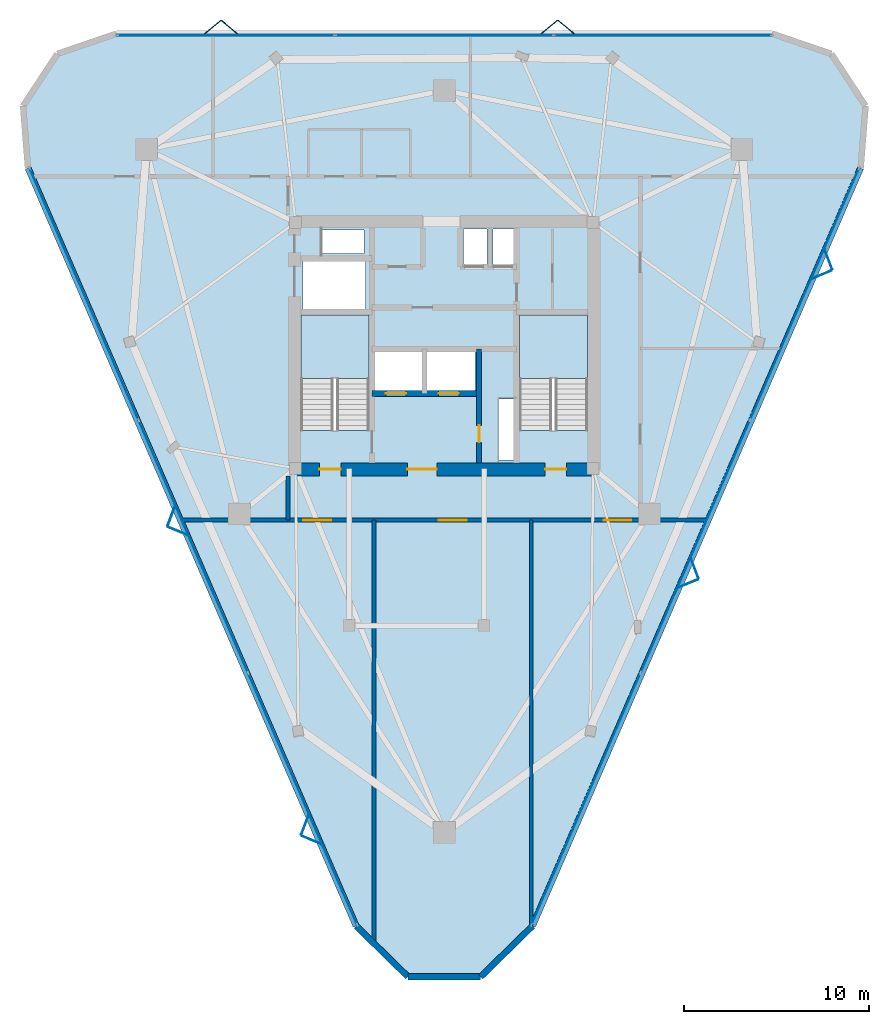
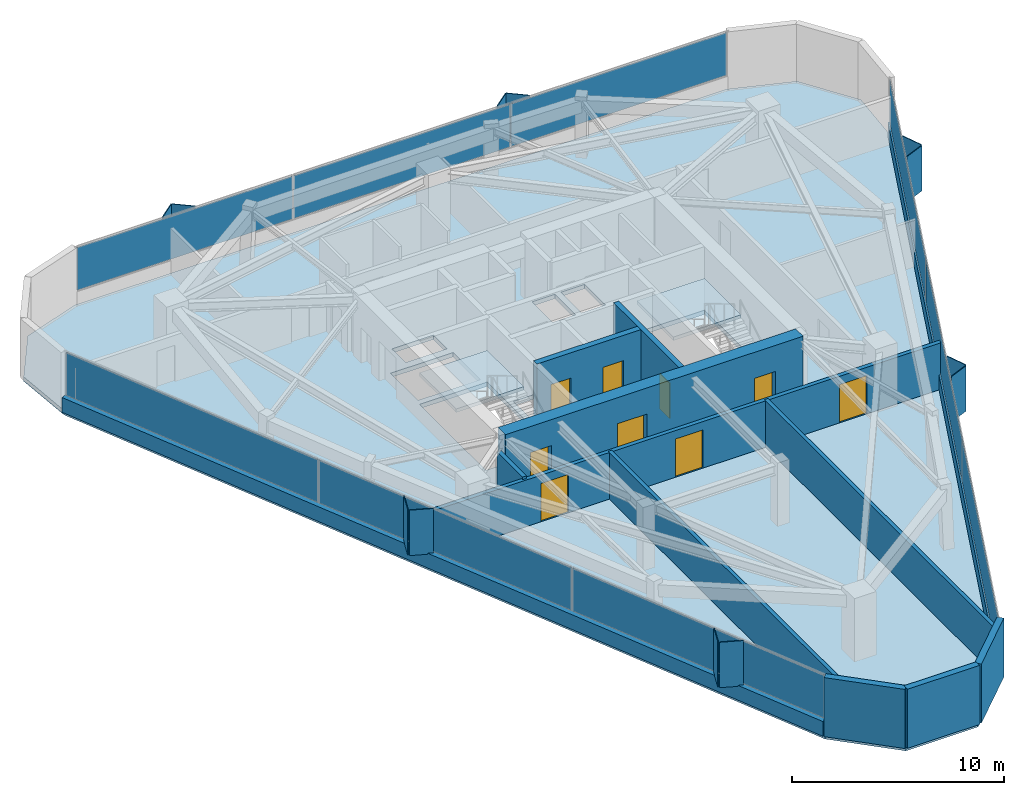
# One storey, part 8 of 11: 21 plates, 12 walls, 9 doors, 3 slabs, 9 openings, 5 elements without a shape of their own.
"""IFC4 building model written with IfcOpenShell, lengths in metres."""

import ifcopenshell
import ifcopenshell.guid

model = None  # the IFC model being written
_history = None  # IfcOwnerHistory: only IFC2X3 demands one
_inside = {}  # id of a spatial element -> (the spatial element, [elements in it])
_under = {}  # id of a project, library or spatial element -> (it, [spatial elements below it])
_declared = {}  # id of a project -> (the project, [libraries it declares])
_typed = {}  # id of a type object -> (the type object, [elements of that type])
_made_of = {}  # id of a material, layer set ... -> (it, [elements and type objects made of it])


def new_model(schema):
    """Start an empty IFC model of exactly this schema.

    Asked for "IFC4X3", IfcOpenShell would pick the latest addendum, in which some entities
    have other attributes; the version numbers below select the first issue.
    IFC2X3 requires an IfcOwnerHistory on every rooted entity: one is made here for all.
    """
    global model, _history
    if schema == "IFC4X3":
        model = ifcopenshell.file(schema_version=(4, 3, 0, 0))
    else:
        model = ifcopenshell.file(schema=schema)
    _inside.clear()
    _under.clear()
    _declared.clear()
    _typed.clear()
    _made_of.clear()
    _history = None
    if model.schema == "IFC2X3":
        org = make("IfcOrganization", Name="unknown")
        user = make(
            "IfcPersonAndOrganization",
            ThePerson=make("IfcPerson", FamilyName="unknown"),
            TheOrganization=org,
        )
        app = make(
            "IfcApplication",
            ApplicationDeveloper=org,
            Version="unknown",
            ApplicationFullName="unknown",
            ApplicationIdentifier="unknown",
        )
        _history = make(
            "IfcOwnerHistory",
            OwningUser=user,
            OwningApplication=app,
            ChangeAction="ADDED",
            CreationDate=0,
        )
    return model


def make(cls, **values):
    """One entity of the class cls with the attributes given. An attribute that is None is left unset."""
    return model.create_entity(
        cls, **{name: value for name, value in values.items() if value is not None}
    )


def rooted(cls, **values):
    """An entity with a GlobalId (a new one), such as an element, a storey or a relation."""
    return make(cls, GlobalId=ifcopenshell.guid.new(), OwnerHistory=_history, **values)


def si_unit(unit_type, name, prefix=None):
    """IfcSIUnit, for example si_unit("LENGTHUNIT", "METRE", prefix="MILLI")."""
    return make("IfcSIUnit", UnitType=unit_type, Prefix=prefix, Name=name)


def assignment(units):
    """IfcUnitAssignment: the units of a project."""
    return None if units is None else make("IfcUnitAssignment", Units=units)


def point(xyz):
    """IfcCartesianPoint."""
    return None if xyz is None else make("IfcCartesianPoint", Coordinates=xyz)


def direction(xyz):
    """IfcDirection."""
    return None if xyz is None else make("IfcDirection", DirectionRatios=xyz)


def frame(location, z_axis=None, x_axis=None):
    """IfcAxis2Placement3D, a coordinate frame: its origin and axes. An axis left out is left unset."""
    return make(
        "IfcAxis2Placement3D",
        Location=point(location),
        Axis=direction(z_axis),
        RefDirection=direction(x_axis),
    )


def frame_2d(location, x_axis=None):
    """IfcAxis2Placement2D, a coordinate frame in the plane: its origin and x axis."""
    return make(
        "IfcAxis2Placement2D", Location=point(location), RefDirection=direction(x_axis)
    )


def origin():
    """The frame at (0, 0, 0) with its axes left unset."""
    return frame((0.0, 0.0, 0.0))


def origin_2d():
    """The frame at (0, 0) in the plane with its x axis left unset."""
    return frame_2d((0.0, 0.0))


def place(relative_to, where):
    """IfcLocalPlacement: puts the frame where relative to a parent placement (None: the world)."""
    return make(
        "IfcLocalPlacement", PlacementRelTo=relative_to, RelativePlacement=where
    )


def context(
    kind, dimensions, precision=None, world=None, true_north=None, identifier=None
):
    """IfcGeometricRepresentationContext, for example the 3D "Model" context."""
    return make(
        "IfcGeometricRepresentationContext",
        ContextIdentifier=identifier,
        ContextType=kind,
        CoordinateSpaceDimension=dimensions,
        Precision=precision,
        WorldCoordinateSystem=world,
        TrueNorth=true_north,
    )


def subcontext(parent, identifier, kind, view, scale=None):
    """IfcGeometricRepresentationSubContext, for example "Body" below "Model"."""
    return make(
        "IfcGeometricRepresentationSubContext",
        ContextIdentifier=identifier,
        ContextType=kind,
        ParentContext=parent,
        TargetScale=scale,
        TargetView=view,
    )


def project(units=None, contexts=None):
    """IfcProject with its units and contexts."""
    return rooted(
        "IfcProject",
        Name="project",
        RepresentationContexts=contexts,
        UnitsInContext=assignment(units),
    )


def spatial(cls, under=None, at=None, **own):
    """A site, building, storey or space (cls), placed at a placement, below another one or the project."""
    s = rooted(cls, ObjectPlacement=at, **own)
    if under is not None:
        _under.setdefault(under.id(), (under, []))[1].append(s)
    return s


def polyline(points):
    """IfcPolyline through the points."""
    return make("IfcPolyline", Points=[point(p) for p in points])


def profile(cls, at=None, kind="AREA", **sizes):
    """A parametric profile (cls). Its sizes go by their IFC names, for example OverallWidth=200.0."""
    return make(cls, ProfileType=kind, Position=at, **sizes)


def rectangle(**sizes):
    """IfcRectangleProfileDef."""
    return profile("IfcRectangleProfileDef", **sizes)


def outline(outer, holes=None, kind="AREA"):
    """IfcArbitraryClosedProfileDef: a profile drawn as a closed curve; with holes, ...WithVoids."""
    if holes is None:
        return make("IfcArbitraryClosedProfileDef", ProfileType=kind, OuterCurve=outer)
    return make(
        "IfcArbitraryProfileDefWithVoids",
        ProfileType=kind,
        OuterCurve=outer,
        InnerCurves=holes,
    )


def extrude(swept, where, along, depth):
    """IfcExtrudedAreaSolid: the profile swept, set in the frame where, extruded along a direction by depth."""
    return make(
        "IfcExtrudedAreaSolid",
        SweptArea=swept,
        Position=where,
        ExtrudedDirection=direction(along),
        Depth=depth,
    )


def shape(context_of_items, identifier, shape_type, items):
    """IfcShapeRepresentation: the items that make up one representation, for example the "Body"."""
    return make(
        "IfcShapeRepresentation",
        ContextOfItems=context_of_items,
        RepresentationIdentifier=identifier,
        RepresentationType=shape_type,
        Items=items,
    )


def material(Name=None, Category=None):
    """IfcMaterial."""
    return make("IfcMaterial", Name=Name, Category=Category)


def layer(
    of_material, thickness, ventilated=None, Name=None, Category=None, Priority=None
):
    """IfcMaterialLayer: one layer of a wall or slab, of a material (None: an air gap)."""
    return make(
        "IfcMaterialLayer",
        Material=of_material,
        LayerThickness=thickness,
        IsVentilated=ventilated,
        Name=Name,
        Category=Category,
        Priority=Priority,
    )


def layer_set(layers, Name=None):
    """IfcMaterialLayerSet."""
    return make("IfcMaterialLayerSet", MaterialLayers=layers, LayerSetName=Name)


def made_of(thing, what):
    """Note that an element or type object is made of a material, layer set ...; save() writes the relation."""
    if what is not None:
        _made_of.setdefault(what.id(), (what, []))[1].append(thing)
    return thing


def type_object(cls, material=None, **own):
    """A type object (cls), such as IfcWallType, which elements share."""
    return made_of(rooted(cls, **own), material)


def element(
    cls,
    number,
    at=None,
    inside=None,
    cuts=None,
    type_object=None,
    material=None,
    context=None,
    identifier="Body",
    shape_type=None,
    held_by="IfcProductDefinitionShape",
    body=None,
    shapes=None,
    **own,
):
    """One element of the class cls, such as IfcWall. Its Tag is "e" and its number.

    at: its placement. inside: the storey or other place that contains it. cuts: it is an
    opening in that element (IfcRelVoidsElement). A single representation is given by context,
    identifier, shape_type and body (its items); several are given by shapes. held_by: the class
    of the entity that holds the representations. save() writes the other relations.
    """
    e = rooted(cls, Tag="e%d" % number, ObjectPlacement=at, **own)
    if body is not None:
        shapes = [shape(context, identifier, shape_type, body)]
    if shapes is not None:
        e.Representation = make(held_by, Representations=shapes)
    if inside is not None:
        _inside.setdefault(inside.id(), (inside, []))[1].append(e)
    if cuts is not None:
        rooted(
            "IfcRelVoidsElement", RelatingBuildingElement=cuts, RelatedOpeningElement=e
        )
    if type_object is not None:
        _typed.setdefault(type_object.id(), (type_object, []))[1].append(e)
    return made_of(e, material)


def fill(opening, filler):
    """IfcRelFillsElement: the door or window that sits in an opening."""
    return rooted(
        "IfcRelFillsElement",
        RelatingOpeningElement=opening,
        RelatedBuildingElement=filler,
    )


def aggregate(whole, parts):
    """IfcRelAggregates: a whole, such as a stair, and the parts it consists of."""
    return rooted("IfcRelAggregates", RelatingObject=whole, RelatedObjects=parts)


def save(model, path):
    """Write the relations noted so far, then the file.

    IfcRelAggregates (storeys below a building ...), IfcRelContainedInSpatialStructure (elements
    in a storey), IfcRelDefinesByType, IfcRelAssociatesMaterial and IfcRelDeclares: one each for
    every whole, place, type object, material and project.
    """
    for whole, parts in _under.values():
        aggregate(whole, parts)
    for where, things in _inside.values():
        rooted(
            "IfcRelContainedInSpatialStructure",
            RelatedElements=things,
            RelatingStructure=where,
        )
    for kind, things in _typed.values():
        rooted("IfcRelDefinesByType", RelatedObjects=things, RelatingType=kind)
    for what, things in _made_of.values():
        rooted("IfcRelAssociatesMaterial", RelatedObjects=things, RelatingMaterial=what)
    for by, libraries in _declared.values():
        rooted("IfcRelDeclares", RelatingContext=by, RelatedDefinitions=libraries)
    model.write(path)


model = new_model("IFC4")

# Units and contexts
model_context = context("Model", 3, precision=1e-05, world=origin(), true_north=direction((0.0, 1.0)))
body_context = subcontext(model_context, "Body", "Model", "MODEL_VIEW")
ifc_project = project(units=[si_unit("LENGTHUNIT", "METRE"), si_unit("AREAUNIT", "SQUARE_METRE"), si_unit("VOLUMEUNIT", "CUBIC_METRE"), si_unit("PLANEANGLEUNIT", "RADIAN"), si_unit("MASSUNIT", "GRAM", prefix="KILO")], contexts=[model_context])

# Site, building, storey
site_placement = place(None, origin())
site = spatial("IfcSite", under=ifc_project, at=site_placement, CompositionType="ELEMENT")
building_placement = place(site_placement, origin())
building = spatial("IfcBuilding", under=site, at=building_placement, Name="Talyreon Biosciences Tower", CompositionType="ELEMENT")
storey_placement = place(building_placement, frame((0.0, 0.0, 264.449951171875)))
storey = spatial("IfcBuildingStorey", under=building, at=storey_placement, Name="L70", CompositionType="ELEMENT", Elevation=264.449951171875)

# Curtain wall, plates
ifc_material_1 = material(Name="Thermally broken aluminium and low-E glazing", Category="aluminium")
ifc_layer_1 = layer(ifc_material_1, 0.175048828125)
ifc_layer_set_1 = layer_set([ifc_layer_1], Name="Thermally broken aluminium and low-E glazing")
curtain_wall_type = type_object("IfcCurtainWallType", Name="CurtainWall_Zone5CompLab", PredefinedType="NOTDEFINED", material=ifc_layer_set_1)
curtain_wall_1_placement = place(storey_placement, origin())
curtain_wall_1 = element("IfcCurtainWall", 1, at=curtain_wall_1_placement, inside=storey, type_object=curtain_wall_type, Name="L70 Unitised Curtain Wall FCW-L70-00", PredefinedType="NOTDEFINED")
ifc_material_2 = material(Name="Triple-silver low-E insulated glazing", Category="glass")
ifc_layer_2 = layer(ifc_material_2, 0.031982421875)
ifc_layer_set_2 = layer_set([ifc_layer_2], Name="Triple-silver low-E insulated glazing")
plate_type_1 = type_object("IfcPlateType", Name="CWGlazingPanel_32", PredefinedType="CURTAIN_PANEL", material=ifc_layer_set_2)
plate_1_placement = place(storey_placement, frame((58.33837890625, 43.48046875, 0.875), z_axis=(0.0, 0.0, 1.0), x_axis=(-0.397220725706, 0.917723103703, 0.0)))
plate_1 = element("IfcPlate", 2, at=plate_1_placement, type_object=plate_type_1, Name="CW6 panel 1.1", PredefinedType="CURTAIN_PANEL", context=body_context, shape_type="SweptSolid", body=[
    extrude(rectangle(XDim=14.787841796875, YDim=0.031982421875, at=origin_2d()), origin(), (0.0, 0.0, 1.0), 2.4599609375),
])
plate_2_placement = place(storey_placement, frame((52.431884765625, 57.126220703125, 0.875), z_axis=(0.0, 0.0, 1.0), x_axis=(-0.397220725706, 0.917723103703, 0.0)))
plate_2 = element("IfcPlate", 3, at=plate_2_placement, type_object=plate_type_1, Name="CW6 panel 2.1", PredefinedType="CURTAIN_PANEL", context=body_context, shape_type="SweptSolid", body=[
    extrude(rectangle(XDim=14.8203125, YDim=0.031982421875, at=origin_2d()), origin(), (0.0, 0.0, 1.0), 2.4599609375),
])
plate_3_placement = place(storey_placement, frame((46.525634765625, 70.77197265625, 0.875), z_axis=(0.0, 0.0, 1.0), x_axis=(-0.397220725706, 0.917723103703, 0.0)))
plate_3 = element("IfcPlate", 4, at=plate_3_placement, type_object=plate_type_1, Name="CW6 panel 3.1", PredefinedType="CURTAIN_PANEL", context=body_context, shape_type="SweptSolid", body=[
    extrude(rectangle(XDim=14.787841796875, YDim=0.031982421875, at=origin_2d()), origin(), (0.0, 0.0, 1.0), 2.4599609375),
])
aggregate(curtain_wall_1, [plate_1, plate_2, plate_3])

curtain_wall_2_placement = place(storey_placement, origin())
curtain_wall_2 = element("IfcCurtainWall", 5, at=curtain_wall_2_placement, inside=storey, type_object=curtain_wall_type, Name="L70 Unitised Curtain Wall FCW-L70-04", PredefinedType="NOTDEFINED")
plate_4_placement = place(storey_placement, frame((54.190673828125, 84.77099609375, 0.875), z_axis=(0.0, 0.0, 1.0), x_axis=(1.0, 0.0, 0.0)))
plate_4 = element("IfcPlate", 6, at=plate_4_placement, type_object=plate_type_1, Name="CW6 panel 1.1", PredefinedType="CURTAIN_PANEL", context=body_context, shape_type="SweptSolid", body=[
    extrude(rectangle(XDim=11.728271484375, YDim=0.031982421875, at=origin_2d()), origin(), (0.0, 0.0, 1.0), 2.4599609375),
])
plate_5_placement = place(storey_placement, frame((66.0, 84.77099609375, 0.875), z_axis=(0.0, 0.0, 1.0), x_axis=(1.0, 0.0, 0.0)))
plate_5 = element("IfcPlate", 7, at=plate_5_placement, type_object=plate_type_1, Name="CW6 panel 2.1", PredefinedType="CURTAIN_PANEL", context=body_context, shape_type="SweptSolid", body=[
    extrude(rectangle(XDim=11.7607421875, YDim=0.031982421875, at=origin_2d()), origin(), (0.0, 0.0, 1.0), 2.4599609375),
])
plate_6_placement = place(storey_placement, frame((77.809326171875, 84.77099609375, 0.875), z_axis=(0.0, 0.0, 1.0), x_axis=(1.0, 0.0, 0.0)))
plate_6 = element("IfcPlate", 8, at=plate_6_placement, type_object=plate_type_1, Name="CW6 panel 3.1", PredefinedType="CURTAIN_PANEL", context=body_context, shape_type="SweptSolid", body=[
    extrude(rectangle(XDim=11.728271484375, YDim=0.031982421875, at=origin_2d()), origin(), (0.0, 0.0, 1.0), 2.4599609375),
])
aggregate(curtain_wall_2, [plate_4, plate_5, plate_6])

curtain_wall_3_placement = place(storey_placement, origin())
curtain_wall_3 = element("IfcCurtainWall", 9, at=curtain_wall_3_placement, inside=storey, type_object=curtain_wall_type, Name="L70 Unitised Curtain Wall FCW-L70-08", PredefinedType="NOTDEFINED")
plate_7_placement = place(storey_placement, frame((85.474365234375, 70.77197265625, 0.875), z_axis=(0.0, 0.0, 1.0), x_axis=(-0.397220725706, -0.917723103703, 0.0)))
plate_7 = element("IfcPlate", 10, at=plate_7_placement, type_object=plate_type_1, Name="CW6 panel 1.1", PredefinedType="CURTAIN_PANEL", context=body_context, shape_type="SweptSolid", body=[
    extrude(rectangle(XDim=14.787841796875, YDim=0.031982421875, at=origin_2d()), origin(), (0.0, 0.0, 1.0), 2.4599609375),
])
plate_8_placement = place(storey_placement, frame((79.568115234375, 57.126220703125, 0.875), z_axis=(0.0, 0.0, 1.0), x_axis=(-0.397220725706, -0.917723103703, 0.0)))
plate_8 = element("IfcPlate", 11, at=plate_8_placement, type_object=plate_type_1, Name="CW6 panel 2.1", PredefinedType="CURTAIN_PANEL", context=body_context, shape_type="SweptSolid", body=[
    extrude(rectangle(XDim=14.8203125, YDim=0.031982421875, at=origin_2d()), origin(), (0.0, 0.0, 1.0), 2.4599609375),
])
plate_9_placement = place(storey_placement, frame((73.66162109375, 43.48046875, 0.875), z_axis=(0.0, 0.0, 1.0), x_axis=(-0.397220725706, -0.917723103703, 0.0)))
plate_9 = element("IfcPlate", 12, at=plate_9_placement, type_object=plate_type_1, Name="CW6 panel 3.1", PredefinedType="CURTAIN_PANEL", context=body_context, shape_type="SweptSolid", body=[
    extrude(rectangle(XDim=14.787841796875, YDim=0.031982421875, at=origin_2d()), origin(), (0.0, 0.0, 1.0), 2.4599609375),
])
aggregate(curtain_wall_3, [plate_7, plate_8, plate_9])

# Slab
ifc_material_3 = material(Name="Concrete C40/50", Category="concrete")
ifc_layer_3 = layer(ifc_material_3, 0.25)
ifc_layer_set_3 = layer_set([ifc_layer_3], Name="Concrete C40/50")
slab_type_1 = type_object("IfcSlabType", Name="DryLabFloorSlab_250", PredefinedType="FLOOR", material=ifc_layer_set_3)
slab_1_placement = place(storey_placement, frame((0.0, 0.0, -0.25)))
element("IfcSlab", 13, at=slab_1_placement, inside=storey, type_object=slab_type_1, Name="L70 Structural Floor Slab", PredefinedType="FLOOR", context=body_context, shape_type="SweptSolid", body=[
    extrude(outline(polyline([(61.227783203125, 36.603271484375), (43.489501953125, 77.58544921875), (43.224853515625, 80.94384765625), (45.07421875, 83.759765625), (48.261474609375, 84.85107421875), (83.738525390625, 84.85107421875), (86.92578125, 83.759765625), (88.775146484375, 80.94384765625), (88.510498046875, 77.58544921875), (70.772216796875, 36.603271484375), (67.964599609375, 33.854248046875), (64.035400390625, 33.854248046875), (61.227783203125, 36.603271484375)]), holes=[polyline([(69.820068359375, 65.10009765625), (69.820068359375, 61.800048828125), (68.9599609375, 61.800048828125), (68.9599609375, 65.10009765625), (69.820068359375, 65.10009765625)]), polyline([(61.929931640625, 69.64990234375), (61.929931640625, 63.407958984375), (58.25, 63.407958984375), (58.25, 69.64990234375), (61.929931640625, 69.64990234375)]), polyline([(73.75, 69.64990234375), (73.75, 63.407958984375), (70.070068359375, 63.407958984375), (70.070068359375, 69.64990234375), (73.75, 69.64990234375)]), polyline([(64.800048828125, 67.64990234375), (64.800048828125, 65.550048828125), (62.199951171875, 65.550048828125), (62.199951171875, 67.64990234375), (64.800048828125, 67.64990234375)]), polyline([(67.64990234375, 67.64990234375), (67.64990234375, 65.550048828125), (65.050048828125, 65.550048828125), (65.050048828125, 67.64990234375), (67.64990234375, 67.64990234375)]), polyline([(61.75, 72.550048828125), (61.75, 69.97998046875), (58.35009765625, 69.97998046875), (58.35009765625, 72.550048828125), (61.75, 72.550048828125)]), polyline([(68.300048828125, 74.300048828125), (68.300048828125, 72.35009765625), (67.050048828125, 72.35009765625), (67.050048828125, 74.300048828125), (68.300048828125, 74.300048828125)]), polyline([(69.919921875, 72.35009765625), (68.6201171875, 72.35009765625), (68.6201171875, 74.300048828125), (69.919921875, 74.300048828125), (69.919921875, 72.35009765625)]), polyline([(61.64990234375, 72.9599609375), (59.39990234375, 72.9599609375), (59.39990234375, 74.25), (61.64990234375, 74.25), (61.64990234375, 72.9599609375)])]), origin(), (0.0, 0.0, 1.0), 0.25),
])

# Plates
ifc_material_4 = material(Name="Ivory GFRC sunshade panel", Category="concrete")
ifc_layer_4 = layer(ifc_material_4, 0.044921875)
ifc_layer_set_4 = layer_set([ifc_layer_4], Name="Ivory GFRC sunshade panel")
plate_type_2 = type_object("IfcPlateType", Name="FoldedVSunshade_NorthFace_SUNSHADE", PredefinedType="USERDEFINED", material=ifc_layer_set_4)
for number, where, z_axis, x_axis, name in (
    (14, (53.4814453125, 85.2109375, 0.7900390625), (0.0, 0.0, 1.0), (0.771624583388, 0.636078220278, 0.0), "L70 Folded V-Sunshade Panel 04.01L"),
    (15, (54.381591796875, 85.2109375, 0.7900390625), (0.0, 0.0, 1.0), (0.771624583388, -0.636078220278, 0.0), "L70 Folded V-Sunshade Panel 04.01R"),
    (16, (71.681396484375, 85.2109375, 0.7900390625), (0.0, 0.0, 1.0), (0.771624583388, 0.636078220278, 0.0), "L70 Folded V-Sunshade Panel 04.02L"),
    (17, (72.58154296875, 85.2109375, 0.7900390625), (0.0, 0.0, 1.0), (0.771624583388, -0.636078220278, 0.0), "L70 Folded V-Sunshade Panel 04.02R"),
):
    element("IfcPlate", number, at=place(storey_placement, frame(where, z_axis=z_axis, x_axis=x_axis)), inside=storey, type_object=plate_type_2, Name=name, ObjectType="SUNSHADE", PredefinedType="USERDEFINED", context=body_context, shape_type="SweptSolid", body=[
        extrude(rectangle(XDim=1.14990234375, YDim=0.044921875, at=origin_2d()), origin(), (0.0, 0.0, 1.0), 2.610107421875),
    ])
ifc_layer_5 = layer(ifc_material_4, 0.044921875)
ifc_layer_set_5 = layer_set([ifc_layer_5], Name="Ivory GFRC sunshade panel")
plate_type_3 = type_object("IfcPlateType", Name="FoldedVSunshade_SunFace_SUNSHADE", PredefinedType="USERDEFINED", material=ifc_layer_set_5)
for number, where, z_axis, x_axis, name in (
    (18, (58.823974609375, 41.250732421875, 0.7900390625), (0.0, 0.0, 1.0), (-0.923243749691, 0.384214755907, 0.0), "L70 Folded V-Sunshade Panel 00.01L"),
    (19, (58.46630859375, 42.076904296875, 0.7900390625), (0.0, 0.0, 1.0), (0.351759960461, 0.936090236151, 0.0), "L70 Folded V-Sunshade Panel 00.01R"),
    (20, (51.594482421875, 57.953369140625, 0.7900390625), (0.0, 0.0, 1.0), (-0.923243749691, 0.384214755907, 0.0), "L70 Folded V-Sunshade Panel 00.02L"),
    (21, (51.237060546875, 58.779296875, 0.7900390625), (0.0, 0.0, 1.0), (0.351759960461, 0.936090236151, 0.0), "L70 Folded V-Sunshade Panel 00.02R"),
    (22, (86.767578125, 72.65185546875, 0.7900390625), (0.0, 0.0, 1.0), (0.351759960461, -0.936090236151, 0.0), "L70 Folded V-Sunshade Panel 08.01L"),
    (23, (86.409912109375, 71.825927734375, 0.7900390625), (0.0, 0.0, 1.0), (-0.923243749691, -0.384214755907, 0.0), "L70 Folded V-Sunshade Panel 08.01R"),
    (24, (79.5380859375, 55.94921875, 0.7900390625), (0.0, 0.0, 1.0), (0.351759960461, -0.936090236151, 0.0), "L70 Folded V-Sunshade Panel 08.02L"),
    (25, (79.1806640625, 55.123291015625, 0.7900390625), (0.0, 0.0, 1.0), (-0.923243749691, -0.384214755907, 0.0), "L70 Folded V-Sunshade Panel 08.02R"),
):
    element("IfcPlate", number, at=place(storey_placement, frame(where, z_axis=z_axis, x_axis=x_axis)), inside=storey, type_object=plate_type_3, Name=name, ObjectType="SUNSHADE", PredefinedType="USERDEFINED", context=body_context, shape_type="SweptSolid", body=[
        extrude(rectangle(XDim=1.14990234375, YDim=0.044921875, at=origin_2d()), origin(), (0.0, 0.0, 1.0), 2.610107421875),
    ])

# Stair, slab
stair_type = type_object("IfcStairType", Name="DoglegEscapeStair_3650", PredefinedType="HALF_TURN_STAIR", material=ifc_material_3)
stair_1_placement = place(storey_placement, origin())
stair_1 = element("IfcStair", 26, at=stair_1_placement, inside=storey, type_object=stair_type, Name="L70 Core Escape Stair 1", PredefinedType="HALF_TURN_STAIR")
ifc_layer_6 = layer(ifc_material_3, 0.199951171875)
ifc_layer_set_6 = layer_set([ifc_layer_6], Name="Concrete C40/50")
slab_type_2 = type_object("IfcSlabType", Name="StairLandingSlab_200", PredefinedType="LANDING", material=ifc_layer_set_6)
slab_2_placement = place(storey_placement, frame((0.0, 0.0, 1.625)))
slab_2 = element("IfcSlab", 27, at=slab_2_placement, type_object=slab_type_2, Name="ST-1 landing 1", PredefinedType="LANDING", context=body_context, shape_type="SweptSolid", body=[
    extrude(outline(polyline([(61.929931640625, 66.199951171875), (61.929931640625, 69.64990234375), (58.25, 69.64990234375), (58.25, 66.199951171875), (61.929931640625, 66.199951171875)])), origin(), (0.0, 0.0, 1.0), 0.199951171875),
])
aggregate(stair_1, [slab_2])

stair_2_placement = place(storey_placement, origin())
stair_2 = element("IfcStair", 28, at=stair_2_placement, inside=storey, type_object=stair_type, Name="L70 Core Escape Stair 2", PredefinedType="HALF_TURN_STAIR")
slab_3_placement = place(storey_placement, frame((0.0, 0.0, 1.625)))
slab_3 = element("IfcSlab", 29, at=slab_3_placement, type_object=slab_type_2, Name="ST-2 landing 1", PredefinedType="LANDING", context=body_context, shape_type="SweptSolid", body=[
    extrude(outline(polyline([(73.75, 66.199951171875), (73.75, 69.64990234375), (70.070068359375, 69.64990234375), (70.070068359375, 66.199951171875), (73.75, 66.199951171875)])), origin(), (0.0, 0.0, 1.0), 0.199951171875),
])
aggregate(stair_2, [slab_3])

# Walls
ifc_material_5 = material(Name="Gypsum fireboard acoustic stud", Category="gypsum")
ifc_layer_7 = layer(ifc_material_5, 0.199951171875)
ifc_layer_set_7 = layer_set([ifc_layer_7], Name="Gypsum fireboard acoustic stud")
wall_type_1 = type_object("IfcWallType", Name="ChemControlPartition_200", PredefinedType="PARTITIONING", material=ifc_layer_set_7)
wall_1_placement = place(storey_placement, frame((62.199951171875, 35.7705078125, 0.0), z_axis=(0.0, 0.0, 1.0), x_axis=(0.0, 1.0, 0.0)))
element("IfcWall", 30, at=wall_1_placement, inside=storey, type_object=wall_type_1, Name="L70 Interior Wall IW-L70-SDIV1", PredefinedType="PARTITIONING", context=body_context, shape_type="SweptSolid", body=[
    extrude(rectangle(XDim=22.779541015625, YDim=0.199951171875, at=frame_2d((11.3896484375, 0.0))), origin(), (0.0, 0.0, 1.0), 2.679931640625),
])
wall_2_placement = place(storey_placement, frame((70.7060546875, 36.664306640625, 0.0), z_axis=(0.0, 0.0, 1.0), x_axis=(0.0, 1.0, 0.0)))
element("IfcWall", 31, at=wall_2_placement, inside=storey, type_object=wall_type_1, Name="L70 Interior Wall IW-L70-SDIV2", PredefinedType="PARTITIONING", context=body_context, shape_type="SweptSolid", body=[
    extrude(rectangle(XDim=21.8857421875, YDim=0.199951171875, at=frame_2d((10.94287109375, 0.0))), origin(), (0.0, 0.0, 1.0), 2.679931640625),
])

# Wall, opening, door
ifc_material_6 = material(Name="Concrete C50/60", Category="concrete")
ifc_layer_8 = layer(ifc_material_6, 0.280029296875)
ifc_layer_set_8 = layer_set([ifc_layer_8], Name="Concrete C50/60")
wall_type_2 = type_object("IfcWallType", Name="CoreShearWall_280", PredefinedType="SHEAR", material=ifc_layer_set_8)
wall_3_placement = place(storey_placement, frame((67.8798828125, 61.64990234375, 0.0), z_axis=(0.0, 0.0, 1.0), x_axis=(0.0, 1.0, 0.0)))
wall_3 = element("IfcWall", 32, at=wall_3_placement, inside=storey, type_object=wall_type_2, Name="L70 Core Shaft Wall SWFFE", PredefinedType="SHEAR", context=body_context, shape_type="SweptSolid", body=[
    extrude(rectangle(XDim=6.150146484375, YDim=0.280029296875, at=frame_2d((3.0751953125, 0.0))), origin(), (0.0, 0.0, 1.0), 3.650146484375),
])
opening_1_placement = place(wall_3_placement, frame((1.10009765625, 0.0, 0.0)))
opening_1 = element("IfcOpeningElement", 33, at=opening_1_placement, cuts=wall_3, Name="Opening DR-L70-RSE", PredefinedType="OPENING", context=body_context, shape_type="SweptSolid", body=[
    extrude(rectangle(XDim=0.919921875, YDim=2.050048828125, at=frame_2d((0.4599609375, 1.02490234375))), frame((0.0, 0.14990234375, 0.0), z_axis=(0.0, -1.0, 0.0), x_axis=(1.0, 0.0, 0.0)), (0.0, 0.0, 1.0), 0.300048828125),
])
ifc_material_7 = material(Name="Painted steel fire-rated riser door", Category="steel")
door_type_1 = type_object("IfcDoorType", Name="RiserPlantAccessDoor_920x2050", OperationType="NOTDEFINED", PredefinedType="DOOR", material=ifc_material_7)
door_1_placement = place(opening_1_placement, origin())
door_1 = element("IfcDoor", 34, at=door_1_placement, inside=storey, type_object=door_type_1, Name="L70 Core Door DR-L70-RSE", OperationType="SINGLE_SWING_RIGHT", OverallHeight=2.050048828125, OverallWidth=0.919921875, PredefinedType="DOOR", context=body_context, shape_type="SweptSolid", body=[
    extrude(rectangle(XDim=0.919921875, YDim=2.050048828125, at=frame_2d((0.4599609375, 1.02490234375))), frame((0.0, 0.02490234375, 0.0), z_axis=(0.0, -1.0, 0.0), x_axis=(1.0, 0.0, 0.0)), (0.0, 0.0, 1.0), 0.050048828125),
])
fill(opening_1, door_1)

# Wall, openings, doors
ifc_layer_9 = layer(ifc_material_6, 0.320068359375)
ifc_layer_set_9 = layer_set([ifc_layer_9], Name="Concrete C50/60")
wall_type_3 = type_object("IfcWallType", Name="CoreShearWall_320", PredefinedType="SHEAR", material=ifc_layer_set_9)
wall_4_placement = place(storey_placement, frame((62.090087890625, 65.39990234375, 0.0), z_axis=(0.0, 0.0, 1.0), x_axis=(1.0, 0.0, 0.0)))
wall_4 = element("IfcWall", 35, at=wall_4_placement, inside=storey, type_object=wall_type_3, Name="L70 Core Shaft Wall SWFFN", PredefinedType="SHEAR", context=body_context, shape_type="SweptSolid", body=[
    extrude(rectangle(XDim=5.789794921875, YDim=0.320068359375, at=frame_2d((2.89501953125, 0.0))), origin(), (0.0, 0.0, 1.0), 3.650146484375),
])
opening_2_placement = place(wall_4_placement, frame((0.75, 0.0, 0.0)))
opening_2 = element("IfcOpeningElement", 36, at=opening_2_placement, cuts=wall_4, Name="Opening LD-L70-FL1", PredefinedType="OPENING", context=body_context, shape_type="SweptSolid", body=[
    extrude(rectangle(XDim=1.10009765625, YDim=2.199951171875, at=frame_2d((0.550048828125, 1.10009765625))), frame((0.0, 0.169921875, 0.0), z_axis=(0.0, -1.0, 0.0), x_axis=(1.0, 0.0, 0.0)), (0.0, 0.0, 1.0), 0.340087890625),
])
opening_3_placement = place(wall_4_placement, frame((3.60009765625, 0.0, 0.0)))
opening_3 = element("IfcOpeningElement", 37, at=opening_3_placement, cuts=wall_4, Name="Opening LD-L70-FL2", PredefinedType="OPENING", context=body_context, shape_type="SweptSolid", body=[
    extrude(rectangle(XDim=1.10009765625, YDim=2.199951171875, at=frame_2d((0.550048828125, 1.10009765625))), frame((0.0, 0.169921875, 0.0), z_axis=(0.0, -1.0, 0.0), x_axis=(1.0, 0.0, 0.0)), (0.0, 0.0, 1.0), 0.340087890625),
])
ifc_material_8 = material(Name="Brushed stainless-steel lift landing door", Category="steel")
door_type_2 = type_object("IfcDoorType", Name="LiftSlidingLandingDoor_1100x2200", OperationType="SLIDING_TO_LEFT", PredefinedType="DOOR", material=ifc_material_8)
door_2_placement = place(opening_2_placement, origin())
door_2 = element("IfcDoor", 38, at=door_2_placement, inside=storey, type_object=door_type_2, Name="L70 Core Door LD-L70-FL1", OperationType="SLIDING_TO_LEFT", OverallHeight=2.199951171875, OverallWidth=1.10009765625, PredefinedType="DOOR", context=body_context, shape_type="SweptSolid", body=[
    extrude(rectangle(XDim=1.10009765625, YDim=2.199951171875, at=frame_2d((0.550048828125, 1.10009765625))), frame((0.0, 0.02490234375, 0.0), z_axis=(0.0, -1.0, 0.0), x_axis=(1.0, 0.0, 0.0)), (0.0, 0.0, 1.0), 0.050048828125),
])
fill(opening_2, door_2)
door_3_placement = place(opening_3_placement, origin())
door_3 = element("IfcDoor", 39, at=door_3_placement, inside=storey, type_object=door_type_2, Name="L70 Core Door LD-L70-FL2", OperationType="SLIDING_TO_LEFT", OverallHeight=2.199951171875, OverallWidth=1.10009765625, PredefinedType="DOOR", context=body_context, shape_type="SweptSolid", body=[
    extrude(rectangle(XDim=1.10009765625, YDim=2.199951171875, at=frame_2d((0.550048828125, 1.10009765625))), frame((0.0, 0.02490234375, 0.0), z_axis=(0.0, -1.0, 0.0), x_axis=(1.0, 0.0, 0.0)), (0.0, 0.0, 1.0), 0.050048828125),
])
fill(opening_3, door_3)

ifc_layer_10 = layer(ifc_material_6, 0.699951171875)
ifc_layer_set_10 = layer_set([ifc_layer_10], Name="Concrete C50/60")
wall_type_4 = type_object("IfcWallType", Name="CoreShearWall_700", PredefinedType="SHEAR", material=ifc_layer_set_10)
wall_5_placement = place(storey_placement, frame((57.89990234375, 61.300048828125, 0.0), z_axis=(0.0, 0.0, 1.0), x_axis=(1.0, 0.0, 0.0)))
wall_5 = element("IfcWall", 40, at=wall_5_placement, inside=storey, type_object=wall_type_4, Name="L70 Core Shear Wall S", PredefinedType="SHEAR", context=body_context, shape_type="SweptSolid", body=[
    extrude(rectangle(XDim=16.2001953125, YDim=0.699951171875, at=frame_2d((8.10009765625, 0.0))), origin(), (0.0, 0.0, 1.0), 3.650146484375),
])
opening_4_placement = place(wall_5_placement, frame((1.35009765625, 0.0, 0.0)))
opening_4 = element("IfcOpeningElement", 41, at=opening_4_placement, cuts=wall_5, Name="Opening DR-L70-ST1", PredefinedType="OPENING", context=body_context, shape_type="SweptSolid", body=[
    extrude(rectangle(XDim=1.14990234375, YDim=2.14990234375, at=frame_2d((0.574951171875, 1.074951171875))), frame((0.0, 0.35986328125, 0.0), z_axis=(0.0, -1.0, 0.0), x_axis=(1.0, 0.0, 0.0)), (0.0, 0.0, 1.0), 0.719970703125),
])
opening_5_placement = place(wall_5_placement, frame((6.10009765625, 0.0, 0.0)))
opening_5 = element("IfcOpeningElement", 42, at=opening_5_placement, cuts=wall_5, Name="Opening DR-L70-FFL", PredefinedType="OPENING", context=body_context, shape_type="SweptSolid", body=[
    extrude(rectangle(XDim=1.60009765625, YDim=2.14990234375, at=frame_2d((0.800048828125, 1.074951171875))), frame((0.0, 0.35986328125, 0.0), z_axis=(0.0, -1.0, 0.0), x_axis=(1.0, 0.0, 0.0)), (0.0, 0.0, 1.0), 0.719970703125),
])
opening_6_placement = place(wall_5_placement, frame((13.550048828125, 0.0, 0.0)))
opening_6 = element("IfcOpeningElement", 43, at=opening_6_placement, cuts=wall_5, Name="Opening DR-L70-ST2", PredefinedType="OPENING", context=body_context, shape_type="SweptSolid", body=[
    extrude(rectangle(XDim=1.14990234375, YDim=2.14990234375, at=frame_2d((0.574951171875, 1.074951171875))), frame((0.0, 0.35986328125, 0.0), z_axis=(0.0, -1.0, 0.0), x_axis=(1.0, 0.0, 0.0)), (0.0, 0.0, 1.0), 0.719970703125),
])
ifc_material_9 = material(Name="Painted steel smoke-seal fire door", Category="steel")
door_type_3 = type_object("IfcDoorType", Name="FirefightingLobbyDoubleDoor_1600x2150", OperationType="DOUBLE_DOOR_SINGLE_SWING", PredefinedType="DOOR", material=ifc_material_9)
door_4_placement = place(opening_5_placement, origin())
door_4 = element("IfcDoor", 44, at=door_4_placement, inside=storey, type_object=door_type_3, Name="L70 Core Door DR-L70-FFL", OperationType="DOUBLE_DOOR_SINGLE_SWING", OverallHeight=2.14990234375, OverallWidth=1.60009765625, PredefinedType="DOOR", context=body_context, shape_type="SweptSolid", body=[
    extrude(rectangle(XDim=1.60009765625, YDim=2.14990234375, at=frame_2d((0.800048828125, 1.074951171875))), frame((0.0, 0.02490234375, 0.0), z_axis=(0.0, -1.0, 0.0), x_axis=(1.0, 0.0, 0.0)), (0.0, 0.0, 1.0), 0.050048828125),
])
fill(opening_5, door_4)
ifc_material_10 = material(Name="Painted steel fire door", Category="steel")
door_type_4 = type_object("IfcDoorType", Name="StairShaftFireDoor_1150x2150", OperationType="NOTDEFINED", PredefinedType="DOOR", material=ifc_material_10)
door_5_placement = place(opening_4_placement, origin())
door_5 = element("IfcDoor", 45, at=door_5_placement, inside=storey, type_object=door_type_4, Name="L70 Core Door DR-L70-ST1", OperationType="SINGLE_SWING_LEFT", OverallHeight=2.14990234375, OverallWidth=1.14990234375, PredefinedType="DOOR", context=body_context, shape_type="SweptSolid", body=[
    extrude(rectangle(XDim=1.14990234375, YDim=2.14990234375, at=frame_2d((0.574951171875, 1.074951171875))), frame((0.0, 0.02490234375, 0.0), z_axis=(0.0, -1.0, 0.0), x_axis=(1.0, 0.0, 0.0)), (0.0, 0.0, 1.0), 0.050048828125),
])
fill(opening_4, door_5)
door_6_placement = place(opening_6_placement, origin())
door_6 = element("IfcDoor", 46, at=door_6_placement, inside=storey, type_object=door_type_4, Name="L70 Core Door DR-L70-ST2", OperationType="SINGLE_SWING_RIGHT", OverallHeight=2.14990234375, OverallWidth=1.14990234375, PredefinedType="DOOR", context=body_context, shape_type="SweptSolid", body=[
    extrude(rectangle(XDim=1.14990234375, YDim=2.14990234375, at=frame_2d((0.574951171875, 1.074951171875))), frame((0.0, 0.02490234375, 0.0), z_axis=(0.0, -1.0, 0.0), x_axis=(1.0, 0.0, 0.0)), (0.0, 0.0, 1.0), 0.050048828125),
])
fill(opening_6, door_6)

ifc_layer_11 = layer(ifc_material_5, 0.219970703125)
ifc_layer_set_11 = layer_set([ifc_layer_11], Name="Gypsum fireboard acoustic stud")
wall_type_5 = type_object("IfcWallType", Name="CorridorRatedPartition_220", PredefinedType="PARTITIONING", material=ifc_layer_set_11)
wall_6_placement = place(storey_placement, frame((51.8212890625, 58.550048828125, 0.0), z_axis=(0.0, 0.0, 1.0), x_axis=(1.0, 0.0, 0.0)))
wall_6 = element("IfcWall", 47, at=wall_6_placement, inside=storey, type_object=wall_type_5, Name="L70 Interior Wall IW-L70-COR-S", PredefinedType="PARTITIONING", context=body_context, shape_type="SweptSolid", body=[
    extrude(rectangle(XDim=28.357421875, YDim=0.219970703125, at=frame_2d((14.1787109375, 0.0))), origin(), (0.0, 0.0, 1.0), 2.679931640625),
])
opening_7_placement = place(wall_6_placement, frame((6.56201171875, 0.0, 0.0)))
opening_7 = element("IfcOpeningElement", 48, at=opening_7_placement, cuts=wall_6, Name="Opening DR-L70-S1A", PredefinedType="OPENING", context=body_context, shape_type="SweptSolid", body=[
    extrude(rectangle(XDim=1.5, YDim=2.199951171875, at=frame_2d((0.75, 1.10009765625))), frame((0.0, 0.119873046875, 0.0), z_axis=(0.0, -1.0, 0.0), x_axis=(1.0, 0.0, 0.0)), (0.0, 0.0, 1.0), 0.239990234375),
])
opening_8_placement = place(wall_6_placement, frame((13.882080078125, 0.0, 0.0)))
opening_8 = element("IfcOpeningElement", 49, at=opening_8_placement, cuts=wall_6, Name="Opening DR-L70-S2A", PredefinedType="OPENING", context=body_context, shape_type="SweptSolid", body=[
    extrude(rectangle(XDim=1.5, YDim=2.199951171875, at=frame_2d((0.75, 1.10009765625))), frame((0.0, 0.119873046875, 0.0), z_axis=(0.0, -1.0, 0.0), x_axis=(1.0, 0.0, 0.0)), (0.0, 0.0, 1.0), 0.239990234375),
])
opening_9_placement = place(wall_6_placement, frame((22.7958984375, 0.0, 0.0)))
opening_9 = element("IfcOpeningElement", 50, at=opening_9_placement, cuts=wall_6, Name="Opening DR-L70-S3A", PredefinedType="OPENING", context=body_context, shape_type="SweptSolid", body=[
    extrude(rectangle(XDim=1.5, YDim=2.199951171875, at=frame_2d((0.75, 1.10009765625))), frame((0.0, 0.119873046875, 0.0), z_axis=(0.0, -1.0, 0.0), x_axis=(1.0, 0.0, 0.0)), (0.0, 0.0, 1.0), 0.239990234375),
])
ifc_material_11 = material(Name="Vision-panel steel laboratory fire door", Category="steel")
door_type_5 = type_object("IfcDoorType", Name="WetLabDoubleLeafDoor_1500x2200", OperationType="DOUBLE_DOOR_SINGLE_SWING", PredefinedType="DOOR", material=ifc_material_11)
door_7_placement = place(opening_7_placement, origin())
door_7 = element("IfcDoor", 51, at=door_7_placement, inside=storey, type_object=door_type_5, Name="L70 Interior Door DR-L70-S1A", OperationType="DOUBLE_DOOR_SINGLE_SWING", OverallHeight=2.199951171875, OverallWidth=1.5, PredefinedType="DOOR", context=body_context, shape_type="SweptSolid", body=[
    extrude(rectangle(XDim=1.5, YDim=2.199951171875, at=frame_2d((0.75, 1.10009765625))), frame((0.0, 0.02490234375, 0.0), z_axis=(0.0, -1.0, 0.0), x_axis=(1.0, 0.0, 0.0)), (0.0, 0.0, 1.0), 0.050048828125),
])
fill(opening_7, door_7)
door_8_placement = place(opening_8_placement, origin())
door_8 = element("IfcDoor", 52, at=door_8_placement, inside=storey, type_object=door_type_5, Name="L70 Interior Door DR-L70-S2A", OperationType="DOUBLE_DOOR_SINGLE_SWING", OverallHeight=2.199951171875, OverallWidth=1.5, PredefinedType="DOOR", context=body_context, shape_type="SweptSolid", body=[
    extrude(rectangle(XDim=1.5, YDim=2.199951171875, at=frame_2d((0.75, 1.10009765625))), frame((0.0, 0.02490234375, 0.0), z_axis=(0.0, -1.0, 0.0), x_axis=(1.0, 0.0, 0.0)), (0.0, 0.0, 1.0), 0.050048828125),
])
fill(opening_8, door_8)
door_9_placement = place(opening_9_placement, origin())
door_9 = element("IfcDoor", 53, at=door_9_placement, inside=storey, type_object=door_type_5, Name="L70 Interior Door DR-L70-S3A", OperationType="DOUBLE_DOOR_SINGLE_SWING", OverallHeight=2.199951171875, OverallWidth=1.5, PredefinedType="DOOR", context=body_context, shape_type="SweptSolid", body=[
    extrude(rectangle(XDim=1.5, YDim=2.199951171875, at=frame_2d((0.75, 1.10009765625))), frame((0.0, 0.02490234375, 0.0), z_axis=(0.0, -1.0, 0.0), x_axis=(1.0, 0.0, 0.0)), (0.0, 0.0, 1.0), 0.050048828125),
])
fill(opening_9, door_9)

# Walls
wall_7_placement = place(storey_placement, frame((57.550048828125, 58.550048828125, 0.0), z_axis=(0.0, 0.0, 1.0), x_axis=(0.0, 1.0, 0.0)))
element("IfcWall", 54, at=wall_7_placement, inside=storey, type_object=wall_type_5, Name="L70 Interior Wall IW-L70-WCAP-S", PredefinedType="PARTITIONING", context=body_context, shape_type="SweptSolid", body=[
    extrude(rectangle(XDim=2.39990234375, YDim=0.219970703125, at=frame_2d((1.199951171875, 0.0))), origin(), (0.0, 0.0, 1.0), 2.830078125),
])
ifc_material_12 = material(Name="Precast concrete C45/55", Category="concrete")
ifc_layer_12 = layer(ifc_material_12, 0.340087890625)
ifc_layer_set_12 = layer_set([ifc_layer_12], Name="Precast concrete C45/55")
wall_type_6 = type_object("IfcWallType", Name="PrecastConcreteSpandrelWall_340", PredefinedType="STANDARD", material=ifc_layer_set_12)
for number, where, z_axis, x_axis, name in (
    (55, (61.227783203125, 36.603271484375, 0.0), (0.0, 0.0, 1.0), (-0.397217851518, 0.91772434774, 0.0), "L70 Expressed Concrete Sill Wall 00"),
    (56, (88.510498046875, 77.58544921875, 0.0), (0.0, 0.0, 1.0), (-0.397217851518, -0.91772434774, 0.0), "L70 Expressed Concrete Sill Wall 08"),
):
    element("IfcWall", number, at=place(storey_placement, frame(where, z_axis=z_axis, x_axis=x_axis)), inside=storey, type_object=wall_type_6, Name=name, PredefinedType="STANDARD", context=body_context, shape_type="SweptSolid", body=[
        extrude(rectangle(XDim=44.65625, YDim=0.340087890625, at=frame_2d((22.328125, 0.0))), origin(), (0.0, 0.0, 1.0), 0.85009765625),
    ])
wall_8_placement = place(storey_placement, frame((70.772216796875, 36.603271484375, 0.0), z_axis=(0.0, 0.0, 1.0), x_axis=(-0.714523367767, -0.699611575744, 0.0)))
element("IfcWall", 57, at=wall_8_placement, inside=storey, type_object=wall_type_6, Name="L70 Rounded-Corner Concrete Pier 09", PredefinedType="STANDARD", context=body_context, shape_type="SweptSolid", body=[
    extrude(rectangle(XDim=3.929443359375, YDim=0.340087890625, at=frame_2d((1.96484375, 0.0))), origin(), (0.0, 0.0, 1.0), 3.400146484375),
])
wall_9_placement = place(storey_placement, frame((67.964599609375, 33.854248046875, 0.0), z_axis=(0.0, 0.0, 1.0), x_axis=(-1.0, 0.0, 0.0)))
element("IfcWall", 58, at=wall_9_placement, inside=storey, type_object=wall_type_6, Name="L70 Rounded-Corner Concrete Pier 10", PredefinedType="STANDARD", context=body_context, shape_type="SweptSolid", body=[
    extrude(rectangle(XDim=3.92919921875, YDim=0.340087890625, at=frame_2d((1.964599609375, 0.0))), origin(), (0.0, 0.0, 1.0), 3.400146484375),
])
wall_10_placement = place(storey_placement, frame((64.035400390625, 33.854248046875, 0.0), z_axis=(0.0, 0.0, 1.0), x_axis=(-0.714523367767, 0.699611575744, 0.0)))
element("IfcWall", 59, at=wall_10_placement, inside=storey, type_object=wall_type_6, Name="L70 Rounded-Corner Concrete Pier 11", PredefinedType="STANDARD", context=body_context, shape_type="SweptSolid", body=[
    extrude(rectangle(XDim=3.929443359375, YDim=0.340087890625, at=frame_2d((1.96484375, 0.0))), origin(), (0.0, 0.0, 1.0), 3.400146484375),
])

save(model, "model.ifc")
